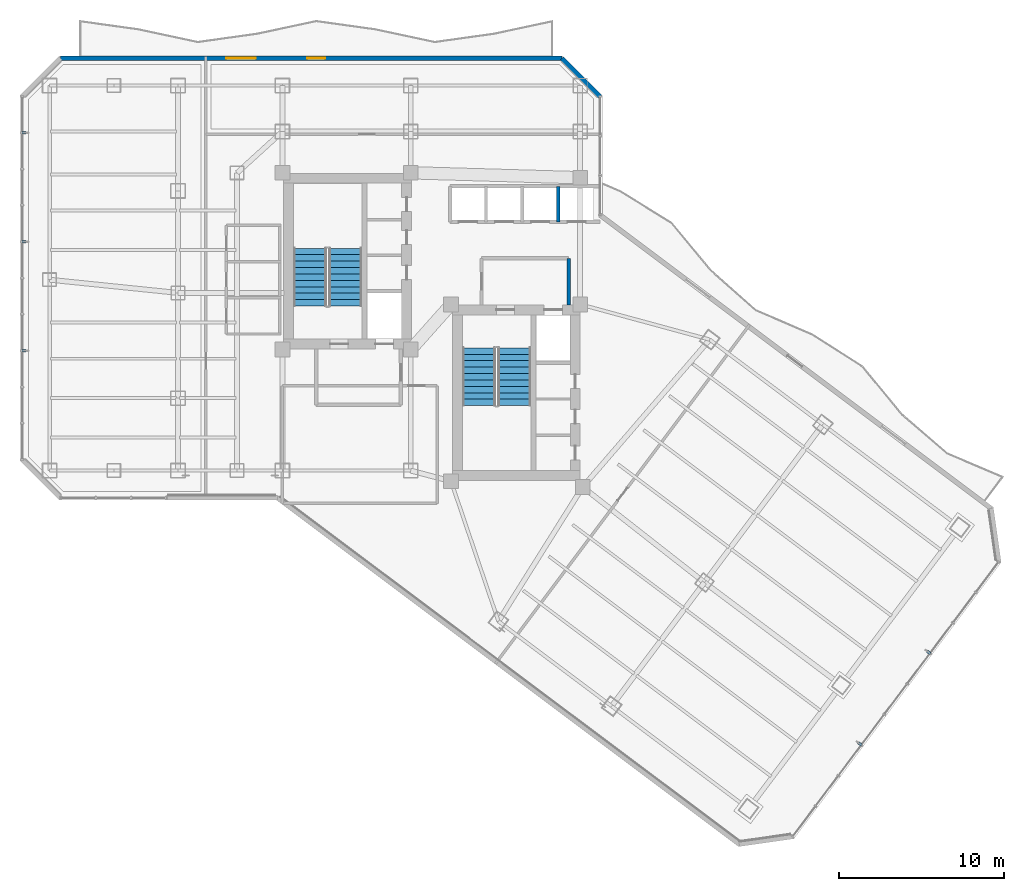
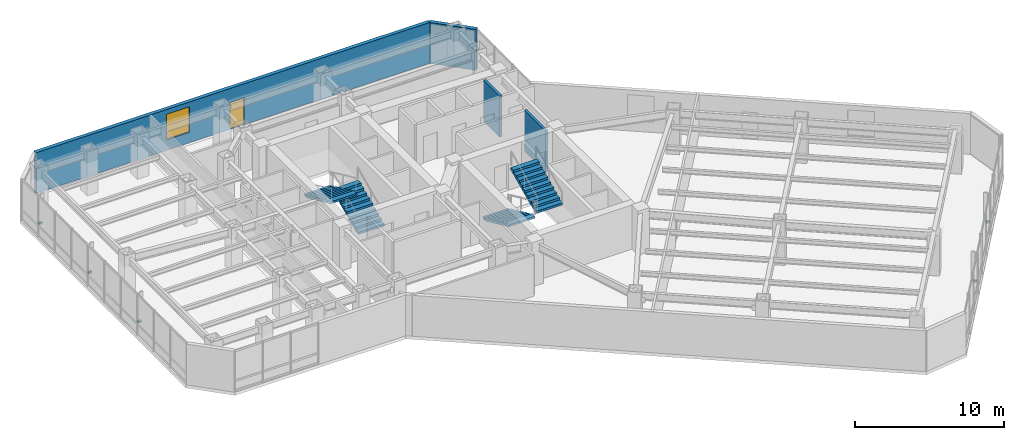
# One storey, part 24 of 29: 5 discrete accessories, 4 stair flights, 4 walls, 1 door, 1 window, 2 openings, 2 elements without a shape of their own.
"""IFC4 building model written with IfcOpenShell, lengths in metres."""

from ifc_helpers import new_model, si_unit, direction, frame, frame_2d, origin, origin_2d, place, context, subcontext, project, spatial, polyline, rectangle, outline, extrude, material, layer, layer_set, type_object, element, fill, aggregate, save


model = new_model("IFC4")

# Units and contexts
model_context = context("Model", 3, precision=1e-05, world=origin(), true_north=direction((0.0, 1.0)))
body_context = subcontext(model_context, "Body", "Model", "MODEL_VIEW")
ifc_project = project(units=[si_unit("LENGTHUNIT", "METRE"), si_unit("AREAUNIT", "SQUARE_METRE"), si_unit("VOLUMEUNIT", "CUBIC_METRE"), si_unit("PLANEANGLEUNIT", "RADIAN"), si_unit("MASSUNIT", "GRAM", prefix="KILO")], contexts=[model_context])

# Site, building, storey
site_placement = place(None, origin())
site = spatial("IfcSite", under=ifc_project, at=site_placement, CompositionType="ELEMENT")
building_placement = place(site_placement, origin())
building = spatial("IfcBuilding", under=site, at=building_placement, Name="Hatsunagi Terrace Concourse", CompositionType="ELEMENT")
storey_placement = place(building_placement, frame((0.0, 0.0, 126.449951171875)))
storey = spatial("IfcBuildingStorey", under=building, at=storey_placement, Name="L33", CompositionType="ELEMENT", Elevation=126.449951171875)

# Walls
ifc_material_1 = material(Name="Acoustic mineral board", Category="gypsum")
ifc_layer_1 = layer(ifc_material_1, 0.199951171875)
ifc_layer_set_1 = layer_set([ifc_layer_1], Name="ShaftWall_EI120_200")
wall_type_1 = type_object("IfcWallType", Name="ShaftWall_EI120_200", PredefinedType="STANDARD", material=ifc_layer_set_1)
wall_1_placement = place(storey_placement, frame((42.949951171875, 35.27001953125, 0.0), z_axis=(0.0, 0.0, 1.0), x_axis=(0.0, 1.0, 0.0)))
element("IfcWall", 1, at=wall_1_placement, inside=storey, type_object=wall_type_1, Name="Interior Partition IW-L33-011", PredefinedType="STANDARD", context=body_context, shape_type="SweptSolid", body=[
    extrude(rectangle(XDim=2.830078125, YDim=0.199951171875, at=frame_2d((1.4150390625, 0.0))), origin(), (0.0, 0.0, 1.0), 3.340087890625),
])
wall_2_placement = place(storey_placement, frame((42.320068359375, 40.320068359375, 0.0), z_axis=(0.0, 0.0, 1.0), x_axis=(0.0, 1.0, 0.0)))
element("IfcWall", 2, at=wall_2_placement, inside=storey, type_object=wall_type_1, Name="Interior Partition IW-L33-017", PredefinedType="STANDARD", context=body_context, shape_type="SweptSolid", body=[
    extrude(rectangle(XDim=2.159912109375, YDim=0.199951171875, at=frame_2d((1.080078125, 0.0))), origin(), (0.0, 0.0, 1.0), 3.340087890625),
])

# Wall, openings, door, window
ifc_material_2 = material(Name="Autoclaved Lightweight Concrete and Terracotta Cladding", Category="masonry")
ifc_layer_2 = layer(ifc_material_2, 0.280029296875)
ifc_layer_set_2 = layer_set([ifc_layer_2], Name="TerracottaSpandrelWall_280")
wall_type_2 = type_object("IfcWallType", Name="TerracottaSpandrelWall_280", PredefinedType="STANDARD", material=ifc_layer_set_2)
wall_3_placement = place(storey_placement, frame((12.05810546875, 50.260009765625, 0.0), z_axis=(0.0, 0.0, 1.0), x_axis=(1.0, 0.0, 0.0)))
wall_3 = element("IfcWall", 3, at=wall_3_placement, inside=storey, type_object=wall_type_2, Name="Exterior Spandrel Wall EW-L33-11", PredefinedType="STANDARD", context=body_context, shape_type="SweptSolid", body=[
    extrude(rectangle(XDim=30.48388671875, YDim=0.280029296875, at=frame_2d((15.241943359375, 0.0))), origin(), (0.0, 0.0, 1.0), 3.340087890625),
])
opening_1_placement = place(wall_3_placement, frame((14.991943359375, 0.0, 0.0)))
opening_1 = element("IfcOpeningElement", 4, at=opening_1_placement, cuts=wall_3, Name="Opening BD-01", PredefinedType="OPENING", context=body_context, shape_type="SweptSolid", body=[
    extrude(rectangle(XDim=1.10009765625, YDim=2.199951171875, at=frame_2d((0.550048828125, 1.10009765625))), frame((0.0, 0.14990234375, 0.0), z_axis=(0.0, -1.0, 0.0), x_axis=(1.0, 0.0, 0.0)), (0.0, 0.0, 1.0), 0.300048828125),
])
opening_2_placement = place(wall_3_placement, frame((10.073974609375, 0.0, 0.85009765625)))
opening_2 = element("IfcOpeningElement", 5, at=opening_2_placement, cuts=wall_3, Name="Opening WIN-03", PredefinedType="OPENING", context=body_context, shape_type="SweptSolid", body=[
    extrude(rectangle(XDim=1.800048828125, YDim=2.10009765625, at=frame_2d((0.89990234375, 1.050048828125))), frame((0.0, 0.14990234375, 0.0), z_axis=(0.0, -1.0, 0.0), x_axis=(1.0, 0.0, 0.0)), (0.0, 0.0, 1.0), 0.300048828125),
])
ifc_material_3 = material(Name="Galvanised Steel and Laminated Safety Glass", Category="steel")
door_type = type_object("IfcDoorType", Name="BalconyTerraceAccessDoor_1100x2200", OperationType="SINGLE_SWING_LEFT", PredefinedType="DOOR", material=ifc_material_3)
door_placement = place(opening_1_placement, origin())
door = element("IfcDoor", 6, at=door_placement, inside=storey, type_object=door_type, Name="Engawa Balcony Door L33-BN", OperationType="SINGLE_SWING_RIGHT", OverallHeight=2.199951171875, OverallWidth=1.10009765625, PredefinedType="DOOR", context=body_context, shape_type="SweptSolid", body=[
    extrude(rectangle(XDim=1.10009765625, YDim=2.199951171875, at=frame_2d((0.550048828125, 1.10009765625))), frame((0.0, 0.02490234375, 0.0), z_axis=(0.0, -1.0, 0.0), x_axis=(1.0, 0.0, 0.0)), (0.0, 0.0, 1.0), 0.050048828125),
])
fill(opening_1, door)
ifc_material_4 = material(Name="Thermally Broken Aluminium and Low-E Triple Glazing", Category="aluminium")
window_type = type_object("IfcWindowType", Name="OfficeCornerFeatureWindow_1800x2100", PartitioningType="SINGLE_PANEL", PredefinedType="WINDOW", material=ifc_material_4)
window_placement = place(opening_2_placement, origin())
window = element("IfcWindow", 7, at=window_placement, inside=storey, type_object=window_type, Name="Balcony Daylighting Window L33-11-1", OverallHeight=2.10009765625, OverallWidth=1.800048828125, PartitioningType="SINGLE_PANEL", PredefinedType="WINDOW", context=body_context, shape_type="SweptSolid", body=[
    extrude(rectangle(XDim=1.800048828125, YDim=2.10009765625, at=frame_2d((0.89990234375, 1.050048828125))), frame((0.0, 0.030029296875, 0.0), z_axis=(0.0, -1.0, 0.0), x_axis=(1.0, 0.0, 0.0)), (0.0, 0.0, 1.0), 0.06005859375),
])
fill(opening_2, window)

# Wall
wall_4_placement = place(storey_placement, frame((42.5419921875, 50.260009765625, 0.0), z_axis=(0.0, 0.0, 1.0), x_axis=(0.707106781187, -0.707106781187, 0.0)))
element("IfcWall", 8, at=wall_4_placement, inside=storey, type_object=wall_type_2, Name="Exterior Spandrel Wall EW-L33-12", PredefinedType="STANDARD", context=body_context, shape_type="SweptSolid", body=[
    extrude(rectangle(XDim=3.2783203125, YDim=0.280029296875, at=frame_2d((1.63916015625, 0.0))), origin(), (0.0, 0.0, 1.0), 3.340087890625),
])

# Stair, stair flights
ifc_material_5 = material(Name="Concrete Fc42", Category="concrete")
stair_type = type_object("IfcStairType", Name="DoglegExitStair_Tower2000_20R_180", PredefinedType="HALF_TURN_STAIR", material=ifc_material_5)
stair_1_placement = place(storey_placement, origin())
stair_1 = element("IfcStair", 9, at=stair_1_placement, inside=storey, type_object=stair_type, Name="L33 Core A Protected Exit Stair ST-A", PredefinedType="HALF_TURN_STAIR")
ifc_material_6 = material(Name="Concrete Fc42", Category="concrete")
stair_flight_type = type_object("IfcStairFlightType", Name="DoglegStairFlight_Tower2000_20R_180", PredefinedType="STRAIGHT", material=ifc_material_6)
stair_flight_1_placement = place(storey_placement, frame((29.3798828125, 35.199951171875, 0.0), z_axis=(0.0, 0.0, 1.0), x_axis=(0.0, 1.0, 0.0)))
stair_flight_1 = element("IfcStairFlight", 10, at=stair_flight_1_placement, type_object=stair_flight_type, Name="ST-A flight 1", NumberOfRisers=10, NumberOfTreads=9, PredefinedType="STRAIGHT", RiserHeight=0.18, TreadLength=0.39, context=body_context, shape_type="SweptSolid", body=[
    extrude(outline(polyline([(0.0, 0.0), (0.0, 0.179931640625), (0.389892578125, 0.179931640625), (0.389892578125, 0.360107421875), (0.780029296875, 0.360107421875), (0.780029296875, 0.5400390625), (1.169921875, 0.5400390625), (1.169921875, 0.719970703125), (1.56005859375, 0.719970703125), (1.56005859375, 0.89990234375), (1.949951171875, 0.89990234375), (1.949951171875, 1.080078125), (2.340087890625, 1.080078125), (2.340087890625, 1.260009765625), (2.72998046875, 1.260009765625), (2.72998046875, 1.43994140625), (3.1201171875, 1.43994140625), (3.1201171875, 1.6201171875), (3.510009765625, 1.6201171875), (3.510009765625, 1.800048828125), (3.510009765625, 1.454833984375), (0.357666015625, 0.0), (0.0, 0.0)])), frame((0.0, 1.0, 0.0), z_axis=(0.0, -1.0, 0.0), x_axis=(1.0, 0.0, 0.0)), (0.0, 0.0, 1.0), 2.0),
])
stair_flight_2_placement = place(storey_placement, frame((27.22998046875, 38.7099609375, 1.800048828125), z_axis=(0.0, 0.0, 1.0), x_axis=(0.0, -1.0, 0.0)))
stair_flight_2 = element("IfcStairFlight", 11, at=stair_flight_2_placement, type_object=stair_flight_type, Name="ST-A flight 2", NumberOfRisers=10, NumberOfTreads=9, PredefinedType="STRAIGHT", RiserHeight=0.18, TreadLength=0.39, context=body_context, shape_type="SweptSolid", body=[
    extrude(outline(polyline([(0.0, 0.0), (0.0, 0.179931640625), (0.389892578125, 0.179931640625), (0.389892578125, 0.360107421875), (0.780029296875, 0.360107421875), (0.780029296875, 0.5400390625), (1.169921875, 0.5400390625), (1.169921875, 0.719970703125), (1.56005859375, 0.719970703125), (1.56005859375, 0.89990234375), (1.949951171875, 0.89990234375), (1.949951171875, 1.080078125), (2.340087890625, 1.080078125), (2.340087890625, 1.260009765625), (2.72998046875, 1.260009765625), (2.72998046875, 1.43994140625), (3.1201171875, 1.43994140625), (3.1201171875, 1.6201171875), (3.510009765625, 1.6201171875), (3.510009765625, 1.800048828125), (3.510009765625, 1.454833984375), (0.357666015625, 0.0), (0.0, 0.0)])), frame((0.0, 1.0, 0.0), z_axis=(0.0, -1.0, 0.0), x_axis=(1.0, 0.0, 0.0)), (0.0, 0.0, 1.0), 2.0),
])
aggregate(stair_1, [stair_flight_1, stair_flight_2])

stair_2_placement = place(storey_placement, origin())
stair_2 = element("IfcStair", 12, at=stair_2_placement, inside=storey, type_object=stair_type, Name="L33 Core B Protected Exit Stair ST-B", PredefinedType="HALF_TURN_STAIR")
stair_flight_3_placement = place(storey_placement, frame((37.5, 32.659912109375, 0.0), z_axis=(0.0, 0.0, 1.0), x_axis=(0.0, -1.0, 0.0)))
stair_flight_3 = element("IfcStairFlight", 13, at=stair_flight_3_placement, type_object=stair_flight_type, Name="ST-B flight 1", NumberOfRisers=10, NumberOfTreads=9, PredefinedType="STRAIGHT", RiserHeight=0.18, TreadLength=0.39, context=body_context, shape_type="SweptSolid", body=[
    extrude(outline(polyline([(0.0, 0.0), (0.0, 0.179931640625), (0.389892578125, 0.179931640625), (0.389892578125, 0.360107421875), (0.780029296875, 0.360107421875), (0.780029296875, 0.5400390625), (1.169921875, 0.5400390625), (1.169921875, 0.719970703125), (1.56005859375, 0.719970703125), (1.56005859375, 0.89990234375), (1.949951171875, 0.89990234375), (1.949951171875, 1.080078125), (2.340087890625, 1.080078125), (2.340087890625, 1.260009765625), (2.72998046875, 1.260009765625), (2.72998046875, 1.43994140625), (3.1201171875, 1.43994140625), (3.1201171875, 1.6201171875), (3.510009765625, 1.6201171875), (3.510009765625, 1.800048828125), (3.510009765625, 1.454833984375), (0.357666015625, 0.0), (0.0, 0.0)])), frame((0.0, 1.0, 0.0), z_axis=(0.0, -1.0, 0.0), x_axis=(1.0, 0.0, 0.0)), (0.0, 0.0, 1.0), 2.0),
])
stair_flight_4_placement = place(storey_placement, frame((39.64990234375, 29.14990234375, 1.800048828125), z_axis=(0.0, 0.0, 1.0), x_axis=(0.0, 1.0, 0.0)))
stair_flight_4 = element("IfcStairFlight", 14, at=stair_flight_4_placement, type_object=stair_flight_type, Name="ST-B flight 2", NumberOfRisers=10, NumberOfTreads=9, PredefinedType="STRAIGHT", RiserHeight=0.18, TreadLength=0.39, context=body_context, shape_type="SweptSolid", body=[
    extrude(outline(polyline([(0.0, 0.0), (0.0, 0.179931640625), (0.389892578125, 0.179931640625), (0.389892578125, 0.360107421875), (0.780029296875, 0.360107421875), (0.780029296875, 0.5400390625), (1.169921875, 0.5400390625), (1.169921875, 0.719970703125), (1.56005859375, 0.719970703125), (1.56005859375, 0.89990234375), (1.949951171875, 0.89990234375), (1.949951171875, 1.080078125), (2.340087890625, 1.080078125), (2.340087890625, 1.260009765625), (2.72998046875, 1.260009765625), (2.72998046875, 1.43994140625), (3.1201171875, 1.43994140625), (3.1201171875, 1.6201171875), (3.510009765625, 1.6201171875), (3.510009765625, 1.800048828125), (3.510009765625, 1.454833984375), (0.357666015625, 0.0), (0.0, 0.0)])), frame((0.0, 1.0, 0.0), z_axis=(0.0, -1.0, 0.0), x_axis=(1.0, 0.0, 0.0)), (0.0, 0.0, 1.0), 2.0),
])
aggregate(stair_2, [stair_flight_3, stair_flight_4])

# Discrete accessories
ifc_material_7 = material(Name="Stainless Steel SUS316 Bracket", Category="steel")
discrete_accessory_type = type_object("IfcDiscreteAccessoryType", Name="FacadeScreenSupportBracket_SS", PredefinedType="BRACKET", material=ifc_material_7)
for number, where, z_axis, x_axis, name in (
    (15, (64.827880859375, 14.155029296875, 0.97021484375), (0.0, 0.0, 1.0), (-0.599969314634, -0.800023013105, 0.0), "Terracotta Screen Bracket BRK-01"),
    (16, (60.652099609375, 8.5849609375, 0.97021484375), (0.0, 0.0, 1.0), (-0.599969314634, -0.800023013105, 0.0), "Terracotta Screen Bracket BRK-01"),
    (17, (9.85009765625, 32.48291015625, 0.97021484375), (0.0, 0.0, 1.0), (0.0, 1.0, 0.0), "Terracotta Screen Bracket BRK-01"),
    (18, (9.85009765625, 39.10791015625, 0.97021484375), (0.0, 0.0, 1.0), (0.0, 1.0, 0.0), "Terracotta Screen Bracket BRK-01"),
    (19, (9.85009765625, 45.73388671875, 0.97021484375), (0.0, 0.0, 1.0), (0.0, 1.0, 0.0), "Terracotta Screen Bracket BRK-01"),
):
    element("IfcDiscreteAccessory", number, at=place(storey_placement, frame(where, z_axis=z_axis, x_axis=x_axis)), inside=storey, type_object=discrete_accessory_type, Name=name, PredefinedType="BRACKET", context=body_context, shape_type="SweptSolid", body=[
        extrude(rectangle(XDim=0.159912109375, YDim=0.239990234375, at=origin_2d()), origin(), (0.0, 0.0, 1.0), 0.159912109375),
    ])

save(model, "model.ifc")
